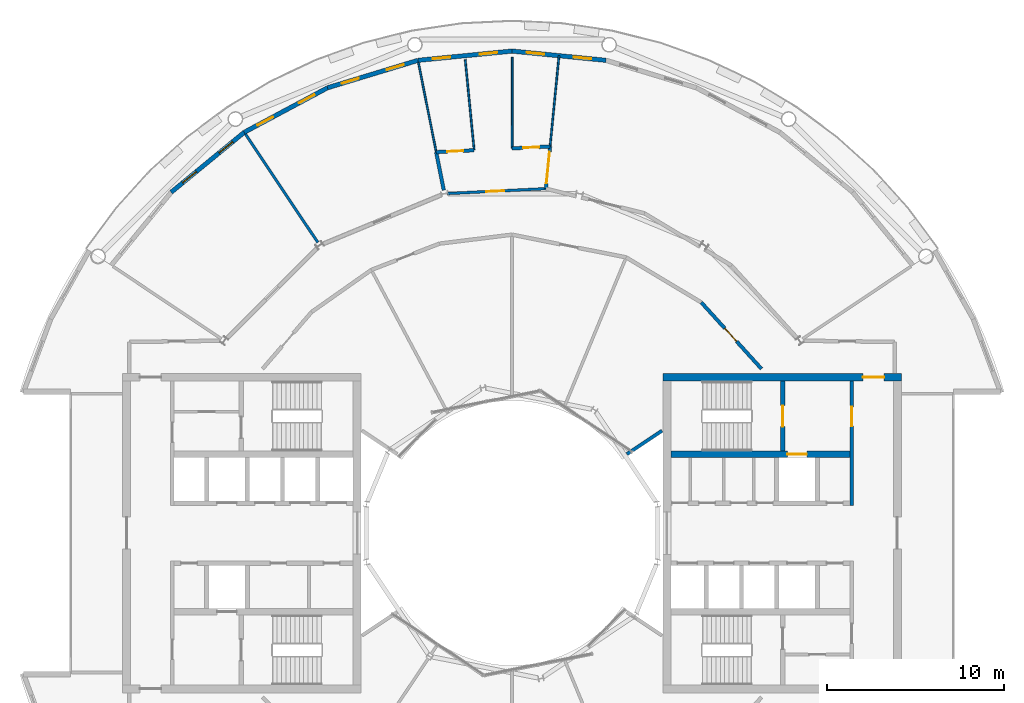
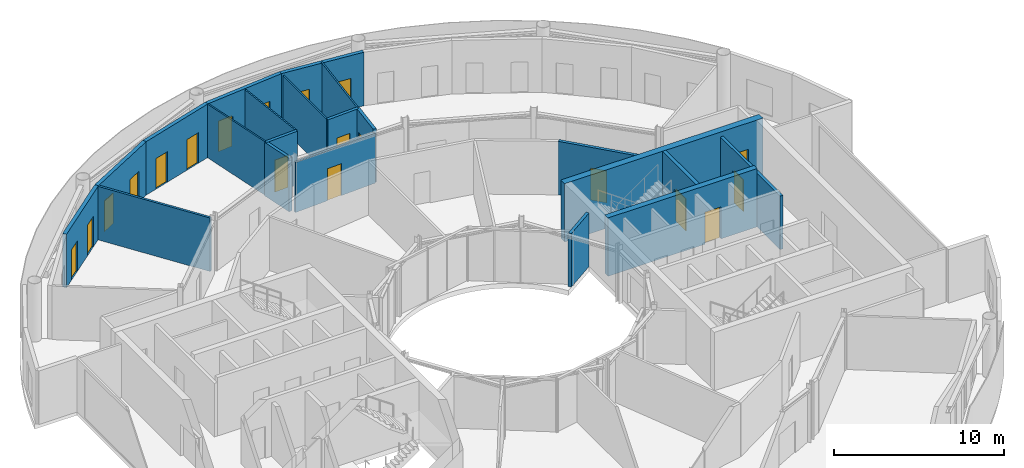
# One storey, part 18 of 22: 21 walls, 19 doors, 19 openings.
"""IFC4 building model written with IfcOpenShell, lengths in metres."""

from ifc_helpers import new_model, si_unit, direction, frame, frame_2d, origin, place, context, subcontext, project, spatial, rectangle, extrude, material, layer, layer_set, type_object, element, fill, save


model = new_model("IFC4")

# Units and contexts
model_context = context("Model", 3, precision=1e-05, world=origin(), true_north=direction((0.0, 1.0)))
body_context = subcontext(model_context, "Body", "Model", "MODEL_VIEW")
ifc_project = project(units=[si_unit("LENGTHUNIT", "METRE"), si_unit("AREAUNIT", "SQUARE_METRE"), si_unit("VOLUMEUNIT", "CUBIC_METRE"), si_unit("PLANEANGLEUNIT", "RADIAN"), si_unit("MASSUNIT", "GRAM", prefix="KILO")], contexts=[model_context])

# Site, building, storey
site_placement = place(None, origin())
site = spatial("IfcSite", under=ifc_project, at=site_placement, CompositionType="ELEMENT")
building_placement = place(site_placement, origin())
building = spatial("IfcBuilding", under=site, at=building_placement, Name="Maasbend Ring Residences", CompositionType="ELEMENT")
storey_placement = place(building_placement, frame((0.0, 0.0, 208.5)))
storey = spatial("IfcBuildingStorey", under=building, at=storey_placement, Name="L60", CompositionType="ELEMENT", Elevation=208.5)

# Wall, opening, door
ifc_material_1 = material(Name="Concrete C50/60", Category="concrete")
ifc_layer_1 = layer(ifc_material_1, 0.25)
ifc_layer_set_1 = layer_set([ifc_layer_1], Name="Concrete C50/60")
wall_type_1 = type_object("IfcWallType", Name="CORE WALL 250 C50/60", PredefinedType="SHEAR", material=ifc_layer_set_1)
wall_1_placement = place(storey_placement, frame((15.324951171875, 4.64990234375, 0.0), z_axis=(0.0, 0.0, 1.0), x_axis=(0.0, 1.0, 0.0)))
wall_1 = element("IfcWall", 1, at=wall_1_placement, inside=storey, type_object=wall_type_1, Name="L60 core E wall STEN", PredefinedType="SHEAR", context=body_context, shape_type="SweptSolid", body=[
    extrude(rectangle(XDim=3.9501953125, YDim=0.25, at=frame_2d((1.97509765625, 0.0))), origin(), (0.0, 0.0, 1.0), 4.199951171875),
])
opening_1_placement = place(wall_1_placement, frame((1.375, 0.0, 0.0)))
opening_1 = element("IfcOpeningElement", 2, at=opening_1_placement, cuts=wall_1, Name="Opening D-E6013", PredefinedType="OPENING", context=body_context, shape_type="SweptSolid", body=[
    extrude(rectangle(XDim=1.199951171875, YDim=2.300048828125, at=frame_2d((0.60009765625, 1.14990234375))), frame((0.0, 0.135009765625, 0.0), z_axis=(0.0, -1.0, 0.0), x_axis=(1.0, 0.0, 0.0)), (0.0, 0.0, 1.0), 0.27001953125),
])
ifc_material_2 = material(Name="Steel, powder coated", Category="steel")
door_type_1 = type_object("IfcDoorType", Name="STAIR DOOR 1200 X 2300 FD60", OperationType="NOTDEFINED", PredefinedType="DOOR", material=ifc_material_2)
door_1_placement = place(opening_1_placement, origin())
door_1 = element("IfcDoor", 3, at=door_1_placement, inside=storey, type_object=door_type_1, Name="Stair door ST-E L60", OperationType="SINGLE_SWING_LEFT", OverallHeight=2.300048828125, OverallWidth=1.199951171875, PredefinedType="DOOR", context=body_context, shape_type="SweptSolid", body=[
    extrude(rectangle(XDim=1.199951171875, YDim=2.300048828125, at=frame_2d((0.60009765625, 1.14990234375))), frame((0.0, 0.02490234375, 0.0), z_axis=(0.0, -1.0, 0.0), x_axis=(1.0, 0.0, 0.0)), (0.0, 0.0, 1.0), 0.050048828125),
])
fill(opening_1, door_1)

ifc_material_3 = material(Name="Concrete C50/60", Category="concrete")
ifc_layer_2 = layer(ifc_material_3, 0.375)
ifc_layer_set_2 = layer_set([ifc_layer_2], Name="Concrete C50/60")
wall_type_2 = type_object("IfcWallType", Name="CORE WALL 375 C50/60", PredefinedType="SHEAR", material=ifc_layer_set_2)
wall_2_placement = place(storey_placement, frame((9.0, 4.46240234375, 0.0), z_axis=(0.0, 0.0, 1.0), x_axis=(1.0, 0.0, 0.0)))
wall_2 = element("IfcWall", 4, at=wall_2_placement, inside=storey, type_object=wall_type_2, Name="L60 core E wall BN", PredefinedType="SHEAR", context=body_context, shape_type="SweptSolid", body=[
    extrude(rectangle(XDim=10.14990234375, YDim=0.375, at=frame_2d((5.074951171875, 0.0))), origin(), (0.0, 0.0, 1.0), 4.199951171875),
])
opening_2_placement = place(wall_2_placement, frame((6.60009765625, 0.0, 0.0)))
opening_2 = element("IfcOpeningElement", 5, at=opening_2_placement, cuts=wall_2, Name="Opening LD-E6001", PredefinedType="OPENING", context=body_context, shape_type="SweptSolid", body=[
    extrude(rectangle(XDim=1.10009765625, YDim=2.300048828125, at=frame_2d((0.550048828125, 1.14990234375))), frame((0.0, 0.197509765625, 0.0), z_axis=(0.0, -1.0, 0.0), x_axis=(1.0, 0.0, 0.0)), (0.0, 0.0, 1.0), 0.39501953125),
])
ifc_material_4 = material(Name="Stainless steel 316", Category="steel")
door_type_2 = type_object("IfcDoorType", Name="LANDING DOOR 1100 X 2300 FD60", OperationType="DOUBLE_DOOR_SLIDING", PredefinedType="DOOR", material=ifc_material_4)
door_2_placement = place(opening_2_placement, origin())
door_2 = element("IfcDoor", 6, at=door_2_placement, inside=storey, type_object=door_type_2, Name="Landing door FF-E L60", OperationType="DOUBLE_DOOR_SLIDING", OverallHeight=2.300048828125, OverallWidth=1.10009765625, PredefinedType="DOOR", context=body_context, shape_type="SweptSolid", body=[
    extrude(rectangle(XDim=1.10009765625, YDim=2.300048828125, at=frame_2d((0.550048828125, 1.14990234375))), frame((0.0, 0.02490234375, 0.0), z_axis=(0.0, -1.0, 0.0), x_axis=(1.0, 0.0, 0.0)), (0.0, 0.0, 1.0), 0.050048828125),
])
fill(opening_2, door_2)

ifc_material_5 = material(Name="Concrete C50/60", Category="concrete")
ifc_layer_3 = layer(ifc_material_5, 0.449951171875)
ifc_layer_set_3 = layer_set([ifc_layer_3], Name="Concrete C50/60")
wall_type_3 = type_object("IfcWallType", Name="CORE WALL 450 C50/60", PredefinedType="SHEAR", material=ifc_layer_set_3)
wall_3_placement = place(storey_placement, frame((22.050048828125, 8.824951171875, 0.0), z_axis=(0.0, 0.0, 1.0), x_axis=(-1.0, 0.0, 0.0)))
wall_3 = element("IfcWall", 7, at=wall_3_placement, inside=storey, type_object=wall_type_3, Name="L60 core E wall PN", PredefinedType="SHEAR", context=body_context, shape_type="SweptSolid", body=[
    extrude(rectangle(XDim=13.5, YDim=0.449951171875, at=frame_2d((6.75, 0.0))), origin(), (0.0, 0.0, 1.0), 4.199951171875),
])
opening_3_placement = place(wall_3_placement, frame((0.97509765625, 0.0, 0.0)))
opening_3 = element("IfcOpeningElement", 8, at=opening_3_placement, cuts=wall_3, Name="Opening D-E6017", PredefinedType="OPENING", context=body_context, shape_type="SweptSolid", body=[
    extrude(rectangle(XDim=1.199951171875, YDim=2.300048828125, at=frame_2d((0.60009765625, 1.14990234375))), frame((0.0, 0.23486328125, 0.0), z_axis=(0.0, -1.0, 0.0), x_axis=(1.0, 0.0, 0.0)), (0.0, 0.0, 1.0), 0.469970703125),
])
ifc_material_6 = material(Name="Steel, powder coated", Category="steel")
door_type_3 = type_object("IfcDoorType", Name="CORRIDOR DOOR 1200 X 2300 FD30S", OperationType="NOTDEFINED", PredefinedType="DOOR", material=ifc_material_6)
door_3_placement = place(opening_3_placement, origin())
door_3 = element("IfcDoor", 9, at=door_3_placement, inside=storey, type_object=door_type_3, Name="Corridor door L60", OperationType="SINGLE_SWING_RIGHT", OverallHeight=2.300048828125, OverallWidth=1.199951171875, PredefinedType="DOOR", context=body_context, shape_type="SweptSolid", body=[
    extrude(rectangle(XDim=1.199951171875, YDim=2.300048828125, at=frame_2d((0.60009765625, 1.14990234375))), frame((0.0, 0.02490234375, 0.0), z_axis=(0.0, -1.0, 0.0), x_axis=(1.0, 0.0, 0.0)), (0.0, 0.0, 1.0), 0.050048828125),
])
fill(opening_3, door_3)

# Wall
ifc_material_7 = material(Name="Concrete C30/37", Category="concrete")
ifc_layer_4 = layer(ifc_material_7, 0.199951171875)
ifc_layer_set_4 = layer_set([ifc_layer_4], Name="Concrete C30/37")
wall_type_4 = type_object("IfcWallType", Name="CORRIDOR WALL 200 CONCRETE", PredefinedType="PARTITIONING", material=ifc_layer_set_4)
wall_4_placement = place(storey_placement, frame((-4.2919921875, 21.576904296875, 0.0), z_axis=(0.0, 0.0, 1.0), x_axis=(0.195048593079, -0.980793579882, 0.0)))
element("IfcWall", 10, at=wall_4_placement, inside=storey, type_object=wall_type_4, Name="U-L60-w034", PredefinedType="PARTITIONING", context=body_context, shape_type="SweptSolid", body=[
    extrude(rectangle(XDim=2.19921875, YDim=0.199951171875, at=frame_2d((1.099609375, 0.0))), origin(), (0.0, 0.0, 1.0), 3.85009765625),
])

# Wall, opening, door
wall_5_placement = place(storey_placement, frame((1.9208984375, 19.506103515625, 0.0), z_axis=(0.0, 0.0, 1.0), x_axis=(0.097982433599, 0.995188144376, 0.0)))
wall_5 = element("IfcWall", 11, at=wall_5_placement, inside=storey, type_object=wall_type_4, Name="U-L60-w037", PredefinedType="PARTITIONING", context=body_context, shape_type="SweptSolid", body=[
    extrude(rectangle(XDim=2.3994140625, YDim=0.199951171875, at=frame_2d((1.19970703125, 0.0))), origin(), (0.0, 0.0, 1.0), 3.85009765625),
])
opening_4_placement = place(wall_5_placement, frame((0.300048828125, 0.0, 0.0)))
opening_4 = element("IfcOpeningElement", 12, at=opening_4_placement, cuts=wall_5, Name="Opening D-6009", PredefinedType="OPENING", context=body_context, shape_type="SweptSolid", body=[
    extrude(rectangle(XDim=1.800048828125, YDim=2.300048828125, at=frame_2d((0.89990234375, 1.14990234375))), frame((0.0, 0.10986328125, 0.0), z_axis=(0.0, -1.0, 0.0), x_axis=(1.0, 0.0, 0.0)), (0.0, 0.0, 1.0), 0.219970703125),
])
ifc_material_8 = material(Name="Timber, painted", Category="wood")
door_type_4 = type_object("IfcDoorType", Name="DOUBLE DOOR 1800 X 2300", OperationType="NOTDEFINED", PredefinedType="DOOR", material=ifc_material_8)
door_4_placement = place(opening_4_placement, origin())
door_4 = element("IfcDoor", 13, at=door_4_placement, inside=storey, type_object=door_type_4, Name="D-6009", OperationType="DOUBLE_DOOR_SINGLE_SWING", OverallHeight=2.300048828125, OverallWidth=1.800048828125, PredefinedType="DOOR", context=body_context, shape_type="SweptSolid", body=[
    extrude(rectangle(XDim=1.800048828125, YDim=2.300048828125, at=frame_2d((0.89990234375, 1.14990234375))), frame((0.0, 0.02490234375, 0.0), z_axis=(0.0, -1.0, 0.0), x_axis=(1.0, 0.0, 0.0)), (0.0, 0.0, 1.0), 0.050048828125),
])
fill(opening_4, door_4)

wall_6_placement = place(storey_placement, frame((10.720947265625, 13.06396484375, 0.0), z_axis=(0.0, 0.0, 1.0), x_axis=(0.671634030197, -0.740883074095, 0.0)))
wall_6 = element("IfcWall", 14, at=wall_6_placement, inside=storey, type_object=wall_type_4, Name="U-L60-w052", PredefinedType="PARTITIONING", context=body_context, shape_type="SweptSolid", body=[
    extrude(rectangle(XDim=5.080322265625, YDim=0.199951171875, at=frame_2d((2.5400390625, 0.0))), origin(), (0.0, 0.0, 1.0), 3.85009765625),
])
opening_5_placement = place(wall_6_placement, frame((1.97998046875, 0.0, 0.0)))
opening_5 = element("IfcOpeningElement", 15, at=opening_5_placement, cuts=wall_6, Name="Opening D-6012", PredefinedType="OPENING", context=body_context, shape_type="SweptSolid", body=[
    extrude(rectangle(XDim=1.0, YDim=2.300048828125, at=frame_2d((0.5, 1.14990234375))), frame((0.0, 0.10986328125, 0.0), z_axis=(0.0, -1.0, 0.0), x_axis=(1.0, 0.0, 0.0)), (0.0, 0.0, 1.0), 0.219970703125),
])
ifc_material_9 = material(Name="Timber, painted", Category="wood")
door_type_5 = type_object("IfcDoorType", Name="ROOM DOOR 1000 X 2300", OperationType="NOTDEFINED", PredefinedType="DOOR", material=ifc_material_9)
door_5_placement = place(opening_5_placement, origin())
door_5 = element("IfcDoor", 16, at=door_5_placement, inside=storey, type_object=door_type_5, Name="D-6012", OperationType="SINGLE_SWING_RIGHT", OverallHeight=2.300048828125, OverallWidth=1.0, PredefinedType="DOOR", context=body_context, shape_type="SweptSolid", body=[
    extrude(rectangle(XDim=1.0, YDim=2.300048828125, at=frame_2d((0.5, 1.14990234375))), frame((0.0, 0.02490234375, 0.0), z_axis=(0.0, -1.0, 0.0), x_axis=(1.0, 0.0, 0.0)), (0.0, 0.0, 1.0), 0.050048828125),
])
fill(opening_5, door_5)

wall_7_placement = place(storey_placement, frame((-4.2919921875, 21.575927734375, 0.0), z_axis=(0.0, 0.0, 1.0), x_axis=(0.998786623078, 0.049247147741, 0.0)))
wall_7 = element("IfcWall", 17, at=wall_7_placement, inside=storey, type_object=wall_type_4, Name="U-L60-w067", PredefinedType="PARTITIONING", context=body_context, shape_type="SweptSolid", body=[
    extrude(rectangle(XDim=2.151611328125, YDim=0.199951171875, at=frame_2d((1.07568359375, 0.0))), origin(), (0.0, 0.0, 1.0), 3.85009765625),
])
opening_6_placement = place(wall_7_placement, frame((0.6259765625, 0.0, 0.0)))
opening_6 = element("IfcOpeningElement", 18, at=opening_6_placement, cuts=wall_7, Name="Opening D-6003", PredefinedType="OPENING", context=body_context, shape_type="SweptSolid", body=[
    extrude(rectangle(XDim=0.89990234375, YDim=2.300048828125, at=frame_2d((0.449951171875, 1.14990234375))), frame((0.0, 0.10986328125, 0.0), z_axis=(0.0, -1.0, 0.0), x_axis=(1.0, 0.0, 0.0)), (0.0, 0.0, 1.0), 0.219970703125),
])
ifc_material_10 = material(Name="Timber, painted", Category="wood")
door_type_6 = type_object("IfcDoorType", Name="INTERNAL DOOR 900 X 2300", OperationType="NOTDEFINED", PredefinedType="DOOR", material=ifc_material_10)
door_6_placement = place(opening_6_placement, origin())
door_6 = element("IfcDoor", 19, at=door_6_placement, inside=storey, type_object=door_type_6, Name="D-6003", OperationType="SINGLE_SWING_RIGHT", OverallHeight=2.300048828125, OverallWidth=0.89990234375, PredefinedType="DOOR", context=body_context, shape_type="SweptSolid", body=[
    extrude(rectangle(XDim=0.89990234375, YDim=2.300048828125, at=frame_2d((0.449951171875, 1.14990234375))), frame((0.0, 0.02490234375, 0.0), z_axis=(0.0, -1.0, 0.0), x_axis=(1.0, 0.0, 0.0)), (0.0, 0.0, 1.0), 0.050048828125),
])
fill(opening_6, door_6)

wall_8_placement = place(storey_placement, frame((0.007080078125, 21.7880859375, 0.0), z_axis=(0.0, 0.0, 1.0), x_axis=(0.998786623078, 0.049247147741, 0.0)))
wall_8 = element("IfcWall", 20, at=wall_8_placement, inside=storey, type_object=wall_type_4, Name="U-L60-w068", PredefinedType="PARTITIONING", context=body_context, shape_type="SweptSolid", body=[
    extrude(rectangle(XDim=2.151611328125, YDim=0.199951171875, at=frame_2d((1.07568359375, 0.0))), origin(), (0.0, 0.0, 1.0), 3.85009765625),
])
opening_7_placement = place(wall_8_placement, frame((0.6259765625, 0.0, 0.0)))
opening_7 = element("IfcOpeningElement", 21, at=opening_7_placement, cuts=wall_8, Name="Opening D-6002", PredefinedType="OPENING", context=body_context, shape_type="SweptSolid", body=[
    extrude(rectangle(XDim=0.89990234375, YDim=2.300048828125, at=frame_2d((0.449951171875, 1.14990234375))), frame((0.0, 0.10986328125, 0.0), z_axis=(0.0, -1.0, 0.0), x_axis=(1.0, 0.0, 0.0)), (0.0, 0.0, 1.0), 0.219970703125),
])
door_7_placement = place(opening_7_placement, origin())
door_7 = element("IfcDoor", 22, at=door_7_placement, inside=storey, type_object=door_type_6, Name="D-6002", OperationType="SINGLE_SWING_LEFT", OverallHeight=2.300048828125, OverallWidth=0.89990234375, PredefinedType="DOOR", context=body_context, shape_type="SweptSolid", body=[
    extrude(rectangle(XDim=0.89990234375, YDim=2.300048828125, at=frame_2d((0.449951171875, 1.14990234375))), frame((0.0, 0.02490234375, 0.0), z_axis=(0.0, -1.0, 0.0), x_axis=(1.0, 0.0, 0.0)), (0.0, 0.0, 1.0), 0.050048828125),
])
fill(opening_7, door_7)

# Wall, openings, doors
ifc_material_11 = material(Name="Aluminium clad insulated panel", Category="aluminium")
ifc_layer_5 = layer(ifc_material_11, 0.25)
ifc_layer_set_5 = layer_set([ifc_layer_5], Name="EW-GL")
wall_type_5 = type_object("IfcWallType", Name="EW-GL", PredefinedType="SOLIDWALL", material=ifc_layer_set_5)
wall_9_placement = place(storey_placement, frame((5.325927734375, 26.77490234375, 0.0), z_axis=(0.0, 0.0, 1.0), x_axis=(-0.995173996315, 0.098126026407, 0.0)))
wall_9 = element("IfcWall", 23, at=wall_9_placement, inside=storey, type_object=wall_type_5, Name="External wall N05", PredefinedType="SOLIDWALL", context=body_context, shape_type="SweptSolid", body=[
    extrude(rectangle(XDim=5.351806640625, YDim=0.25, at=frame_2d((2.67578125, 0.0))), origin(), (0.0, 0.0, 1.0), 3.85009765625),
])
opening_8_placement = place(wall_9_placement, frame((0.841064453125, 0.0, 0.0)))
opening_8 = element("IfcOpeningElement", 24, at=opening_8_placement, cuts=wall_9, Name="Opening D-LG", PredefinedType="OPENING", context=body_context, shape_type="SweptSolid", body=[
    extrude(rectangle(XDim=1.0, YDim=2.199951171875, at=frame_2d((0.5, 1.10009765625))), frame((0.0, 0.135009765625, 0.0), z_axis=(0.0, -1.0, 0.0), x_axis=(1.0, 0.0, 0.0)), (0.0, 0.0, 1.0), 0.27001953125),
])
opening_9_placement = place(wall_9_placement, frame((3.510498046875, 0.0, 0.0)))
opening_9 = element("IfcOpeningElement", 25, at=opening_9_placement, cuts=wall_9, Name="Opening D-LG", PredefinedType="OPENING", context=body_context, shape_type="SweptSolid", body=[
    extrude(rectangle(XDim=1.0, YDim=2.199951171875, at=frame_2d((0.5, 1.10009765625))), frame((0.0, 0.135009765625, 0.0), z_axis=(0.0, -1.0, 0.0), x_axis=(1.0, 0.0, 0.0)), (0.0, 0.0, 1.0), 0.27001953125),
])
ifc_material_12 = material(Name="Aluminium and clear glass", Category="aluminium")
door_type_7 = type_object("IfcDoorType", Name="D-LG", OperationType="SINGLE_SWING_LEFT", PredefinedType="DOOR", material=ifc_material_12)
door_8_placement = place(opening_8_placement, origin())
door_8 = element("IfcDoor", 26, at=door_8_placement, inside=storey, type_object=door_type_7, Name="Loggia door N09", OperationType="SINGLE_SWING_LEFT", OverallHeight=2.199951171875, OverallWidth=1.0, PredefinedType="DOOR", context=body_context, shape_type="SweptSolid", body=[
    extrude(rectangle(XDim=1.0, YDim=2.199951171875, at=frame_2d((0.5, 1.10009765625))), frame((0.0, 0.02490234375, 0.0), z_axis=(0.0, -1.0, 0.0), x_axis=(1.0, 0.0, 0.0)), (0.0, 0.0, 1.0), 0.050048828125),
])
fill(opening_8, door_8)
door_9_placement = place(opening_9_placement, origin())
door_9 = element("IfcDoor", 27, at=door_9_placement, inside=storey, type_object=door_type_7, Name="Loggia door N10", OperationType="SINGLE_SWING_LEFT", OverallHeight=2.199951171875, OverallWidth=1.0, PredefinedType="DOOR", context=body_context, shape_type="SweptSolid", body=[
    extrude(rectangle(XDim=1.0, YDim=2.199951171875, at=frame_2d((0.5, 1.10009765625))), frame((0.0, 0.02490234375, 0.0), z_axis=(0.0, -1.0, 0.0), x_axis=(1.0, 0.0, 0.0)), (0.0, 0.0, 1.0), 0.050048828125),
])
fill(opening_9, door_9)

wall_10_placement = place(storey_placement, frame((0.0, 27.300048828125, 0.0), z_axis=(0.0, 0.0, 1.0), x_axis=(-0.995173996315, -0.098126026407, 0.0)))
wall_10 = element("IfcWall", 28, at=wall_10_placement, inside=storey, type_object=wall_type_5, Name="External wall N06", PredefinedType="SOLIDWALL", context=body_context, shape_type="SweptSolid", body=[
    extrude(rectangle(XDim=5.351806640625, YDim=0.25, at=frame_2d((2.67578125, 0.0))), origin(), (0.0, 0.0, 1.0), 3.85009765625),
])
opening_10_placement = place(wall_10_placement, frame((0.841064453125, 0.0, 0.0)))
opening_10 = element("IfcOpeningElement", 29, at=opening_10_placement, cuts=wall_10, Name="Opening D-LG", PredefinedType="OPENING", context=body_context, shape_type="SweptSolid", body=[
    extrude(rectangle(XDim=1.0, YDim=2.199951171875, at=frame_2d((0.5, 1.10009765625))), frame((0.0, 0.135009765625, 0.0), z_axis=(0.0, -1.0, 0.0), x_axis=(1.0, 0.0, 0.0)), (0.0, 0.0, 1.0), 0.27001953125),
])
opening_11_placement = place(wall_10_placement, frame((3.510498046875, 0.0, 0.0)))
opening_11 = element("IfcOpeningElement", 30, at=opening_11_placement, cuts=wall_10, Name="Opening D-LG", PredefinedType="OPENING", context=body_context, shape_type="SweptSolid", body=[
    extrude(rectangle(XDim=1.0, YDim=2.199951171875, at=frame_2d((0.5, 1.10009765625))), frame((0.0, 0.135009765625, 0.0), z_axis=(0.0, -1.0, 0.0), x_axis=(1.0, 0.0, 0.0)), (0.0, 0.0, 1.0), 0.27001953125),
])
door_10_placement = place(opening_10_placement, origin())
door_10 = element("IfcDoor", 31, at=door_10_placement, inside=storey, type_object=door_type_7, Name="Loggia door N11", OperationType="SINGLE_SWING_LEFT", OverallHeight=2.199951171875, OverallWidth=1.0, PredefinedType="DOOR", context=body_context, shape_type="SweptSolid", body=[
    extrude(rectangle(XDim=1.0, YDim=2.199951171875, at=frame_2d((0.5, 1.10009765625))), frame((0.0, 0.02490234375, 0.0), z_axis=(0.0, -1.0, 0.0), x_axis=(1.0, 0.0, 0.0)), (0.0, 0.0, 1.0), 0.050048828125),
])
fill(opening_10, door_10)
door_11_placement = place(opening_11_placement, origin())
door_11 = element("IfcDoor", 32, at=door_11_placement, inside=storey, type_object=door_type_7, Name="Loggia door N12", OperationType="SINGLE_SWING_LEFT", OverallHeight=2.199951171875, OverallWidth=1.0, PredefinedType="DOOR", context=body_context, shape_type="SweptSolid", body=[
    extrude(rectangle(XDim=1.0, YDim=2.199951171875, at=frame_2d((0.5, 1.10009765625))), frame((0.0, 0.02490234375, 0.0), z_axis=(0.0, -1.0, 0.0), x_axis=(1.0, 0.0, 0.0)), (0.0, 0.0, 1.0), 0.050048828125),
])
fill(opening_11, door_11)

wall_11_placement = place(storey_placement, frame((-5.325927734375, 26.77490234375, 0.0), z_axis=(0.0, 0.0, 1.0), x_axis=(-0.956965678721, -0.290201119486, 0.0)))
wall_11 = element("IfcWall", 33, at=wall_11_placement, inside=storey, type_object=wall_type_5, Name="External wall N07", PredefinedType="SOLIDWALL", context=body_context, shape_type="SweptSolid", body=[
    extrude(rectangle(XDim=5.351318359375, YDim=0.25, at=frame_2d((2.67578125, 0.0))), origin(), (0.0, 0.0, 1.0), 3.85009765625),
])
opening_12_placement = place(wall_11_placement, frame((0.841064453125, 0.0, 0.0)))
opening_12 = element("IfcOpeningElement", 34, at=opening_12_placement, cuts=wall_11, Name="Opening D-LG", PredefinedType="OPENING", context=body_context, shape_type="SweptSolid", body=[
    extrude(rectangle(XDim=1.0, YDim=2.199951171875, at=frame_2d((0.5, 1.10009765625))), frame((0.0, 0.135009765625, 0.0), z_axis=(0.0, -1.0, 0.0), x_axis=(1.0, 0.0, 0.0)), (0.0, 0.0, 1.0), 0.27001953125),
])
opening_13_placement = place(wall_11_placement, frame((3.510498046875, 0.0, 0.0)))
opening_13 = element("IfcOpeningElement", 35, at=opening_13_placement, cuts=wall_11, Name="Opening D-LG", PredefinedType="OPENING", context=body_context, shape_type="SweptSolid", body=[
    extrude(rectangle(XDim=1.0, YDim=2.199951171875, at=frame_2d((0.5, 1.10009765625))), frame((0.0, 0.135009765625, 0.0), z_axis=(0.0, -1.0, 0.0), x_axis=(1.0, 0.0, 0.0)), (0.0, 0.0, 1.0), 0.27001953125),
])
door_12_placement = place(opening_12_placement, origin())
door_12 = element("IfcDoor", 36, at=door_12_placement, inside=storey, type_object=door_type_7, Name="Loggia door N13", OperationType="SINGLE_SWING_LEFT", OverallHeight=2.199951171875, OverallWidth=1.0, PredefinedType="DOOR", context=body_context, shape_type="SweptSolid", body=[
    extrude(rectangle(XDim=1.0, YDim=2.199951171875, at=frame_2d((0.5, 1.10009765625))), frame((0.0, 0.02490234375, 0.0), z_axis=(0.0, -1.0, 0.0), x_axis=(1.0, 0.0, 0.0)), (0.0, 0.0, 1.0), 0.050048828125),
])
fill(opening_12, door_12)
door_13_placement = place(opening_13_placement, origin())
door_13 = element("IfcDoor", 37, at=door_13_placement, inside=storey, type_object=door_type_7, Name="Loggia door N14", OperationType="SINGLE_SWING_LEFT", OverallHeight=2.199951171875, OverallWidth=1.0, PredefinedType="DOOR", context=body_context, shape_type="SweptSolid", body=[
    extrude(rectangle(XDim=1.0, YDim=2.199951171875, at=frame_2d((0.5, 1.10009765625))), frame((0.0, 0.02490234375, 0.0), z_axis=(0.0, -1.0, 0.0), x_axis=(1.0, 0.0, 0.0)), (0.0, 0.0, 1.0), 0.050048828125),
])
fill(opening_13, door_13)

wall_12_placement = place(storey_placement, frame((-10.447021484375, 25.221923828125, 0.0), z_axis=(0.0, 0.0, 1.0), x_axis=(-0.881915646801, -0.471407246368, 0.0)))
wall_12 = element("IfcWall", 38, at=wall_12_placement, inside=storey, type_object=wall_type_5, Name="External wall N08", PredefinedType="SOLIDWALL", context=body_context, shape_type="SweptSolid", body=[
    extrude(rectangle(XDim=5.35205078125, YDim=0.25, at=frame_2d((2.676025390625, 0.0))), origin(), (0.0, 0.0, 1.0), 3.85009765625),
])
opening_14_placement = place(wall_12_placement, frame((0.841064453125, 0.0, 0.0)))
opening_14 = element("IfcOpeningElement", 39, at=opening_14_placement, cuts=wall_12, Name="Opening D-LG", PredefinedType="OPENING", context=body_context, shape_type="SweptSolid", body=[
    extrude(rectangle(XDim=1.0, YDim=2.199951171875, at=frame_2d((0.5, 1.10009765625))), frame((0.0, 0.135009765625, 0.0), z_axis=(0.0, -1.0, 0.0), x_axis=(1.0, 0.0, 0.0)), (0.0, 0.0, 1.0), 0.27001953125),
])
opening_15_placement = place(wall_12_placement, frame((3.510498046875, 0.0, 0.0)))
opening_15 = element("IfcOpeningElement", 40, at=opening_15_placement, cuts=wall_12, Name="Opening D-LG", PredefinedType="OPENING", context=body_context, shape_type="SweptSolid", body=[
    extrude(rectangle(XDim=1.0, YDim=2.199951171875, at=frame_2d((0.5, 1.10009765625))), frame((0.0, 0.135009765625, 0.0), z_axis=(0.0, -1.0, 0.0), x_axis=(1.0, 0.0, 0.0)), (0.0, 0.0, 1.0), 0.27001953125),
])
door_14_placement = place(opening_14_placement, origin())
door_14 = element("IfcDoor", 41, at=door_14_placement, inside=storey, type_object=door_type_7, Name="Loggia door N15", OperationType="SINGLE_SWING_LEFT", OverallHeight=2.199951171875, OverallWidth=1.0, PredefinedType="DOOR", context=body_context, shape_type="SweptSolid", body=[
    extrude(rectangle(XDim=1.0, YDim=2.199951171875, at=frame_2d((0.5, 1.10009765625))), frame((0.0, 0.02490234375, 0.0), z_axis=(0.0, -1.0, 0.0), x_axis=(1.0, 0.0, 0.0)), (0.0, 0.0, 1.0), 0.050048828125),
])
fill(opening_14, door_14)
door_15_placement = place(opening_15_placement, origin())
door_15 = element("IfcDoor", 42, at=door_15_placement, inside=storey, type_object=door_type_7, Name="Loggia door N16", OperationType="SINGLE_SWING_LEFT", OverallHeight=2.199951171875, OverallWidth=1.0, PredefinedType="DOOR", context=body_context, shape_type="SweptSolid", body=[
    extrude(rectangle(XDim=1.0, YDim=2.199951171875, at=frame_2d((0.5, 1.10009765625))), frame((0.0, 0.02490234375, 0.0), z_axis=(0.0, -1.0, 0.0), x_axis=(1.0, 0.0, 0.0)), (0.0, 0.0, 1.0), 0.050048828125),
])
fill(opening_15, door_15)

wall_13_placement = place(storey_placement, frame((-15.1669921875, 22.698974609375, 0.0), z_axis=(0.0, 0.0, 1.0), x_axis=(-0.773019449054, -0.634382322723, 0.0)))
wall_13 = element("IfcWall", 43, at=wall_13_placement, inside=storey, type_object=wall_type_5, Name="External wall N09", PredefinedType="SOLIDWALL", context=body_context, shape_type="SweptSolid", body=[
    extrude(rectangle(XDim=5.351806640625, YDim=0.25, at=frame_2d((2.67578125, 0.0))), origin(), (0.0, 0.0, 1.0), 3.85009765625),
])
opening_16_placement = place(wall_13_placement, frame((0.841064453125, 0.0, 0.0)))
opening_16 = element("IfcOpeningElement", 44, at=opening_16_placement, cuts=wall_13, Name="Opening D-LG", PredefinedType="OPENING", context=body_context, shape_type="SweptSolid", body=[
    extrude(rectangle(XDim=1.0, YDim=2.199951171875, at=frame_2d((0.5, 1.10009765625))), frame((0.0, 0.135009765625, 0.0), z_axis=(0.0, -1.0, 0.0), x_axis=(1.0, 0.0, 0.0)), (0.0, 0.0, 1.0), 0.27001953125),
])
opening_17_placement = place(wall_13_placement, frame((3.510498046875, 0.0, 0.0)))
opening_17 = element("IfcOpeningElement", 45, at=opening_17_placement, cuts=wall_13, Name="Opening D-LG", PredefinedType="OPENING", context=body_context, shape_type="SweptSolid", body=[
    extrude(rectangle(XDim=1.0, YDim=2.199951171875, at=frame_2d((0.5, 1.10009765625))), frame((0.0, 0.135009765625, 0.0), z_axis=(0.0, -1.0, 0.0), x_axis=(1.0, 0.0, 0.0)), (0.0, 0.0, 1.0), 0.27001953125),
])
door_16_placement = place(opening_16_placement, origin())
door_16 = element("IfcDoor", 46, at=door_16_placement, inside=storey, type_object=door_type_7, Name="Loggia door N17", OperationType="SINGLE_SWING_LEFT", OverallHeight=2.199951171875, OverallWidth=1.0, PredefinedType="DOOR", context=body_context, shape_type="SweptSolid", body=[
    extrude(rectangle(XDim=1.0, YDim=2.199951171875, at=frame_2d((0.5, 1.10009765625))), frame((0.0, 0.02490234375, 0.0), z_axis=(0.0, -1.0, 0.0), x_axis=(1.0, 0.0, 0.0)), (0.0, 0.0, 1.0), 0.050048828125),
])
fill(opening_16, door_16)
door_17_placement = place(opening_17_placement, origin())
door_17 = element("IfcDoor", 47, at=door_17_placement, inside=storey, type_object=door_type_7, Name="Loggia door N18", OperationType="SINGLE_SWING_LEFT", OverallHeight=2.199951171875, OverallWidth=1.0, PredefinedType="DOOR", context=body_context, shape_type="SweptSolid", body=[
    extrude(rectangle(XDim=1.0, YDim=2.199951171875, at=frame_2d((0.5, 1.10009765625))), frame((0.0, 0.02490234375, 0.0), z_axis=(0.0, -1.0, 0.0), x_axis=(1.0, 0.0, 0.0)), (0.0, 0.0, 1.0), 0.050048828125),
])
fill(opening_17, door_17)

# Walls
ifc_material_13 = material(Name="Gypsum board on steel studs", Category="steel")
ifc_layer_6 = layer(ifc_material_13, 0.10009765625)
ifc_layer_set_6 = layer_set([ifc_layer_6], Name="PARTITION 100 GYPSUM")
wall_type_6 = type_object("IfcWallType", Name="PARTITION 100 GYPSUM", PredefinedType="PARTITIONING", material=ifc_layer_set_6)
wall_14_placement = place(storey_placement, frame((-5.301025390625, 26.653076171875, 0.0), z_axis=(0.0, 0.0, 1.0), x_axis=(0.194963902417, -0.980810418355, 0.0)))
element("IfcWall", 48, at=wall_14_placement, inside=storey, type_object=wall_type_6, Name="U-L60-w032", PredefinedType="PARTITIONING", context=body_context, shape_type="SweptSolid", body=[
    extrude(rectangle(XDim=5.175537109375, YDim=0.10009765625, at=frame_2d((2.587890625, 0.0))), origin(), (0.0, 0.0, 1.0), 3.85009765625),
])
wall_15_placement = place(storey_placement, frame((2.156005859375, 21.89404296875, 0.0), z_axis=(0.0, 0.0, 1.0), x_axis=(0.098177046306, 0.995168964336, 0.0)))
element("IfcWall", 49, at=wall_15_placement, inside=storey, type_object=wall_type_6, Name="U-L60-w038", PredefinedType="PARTITIONING", context=body_context, shape_type="SweptSolid", body=[
    extrude(rectangle(XDim=5.1748046875, YDim=0.10009765625, at=frame_2d((2.58740234375, 0.0))), origin(), (0.0, 0.0, 1.0), 3.85009765625),
])
wall_16_placement = place(storey_placement, frame((0.007080078125, 21.80810546875, 0.0), z_axis=(0.0, 0.0, 1.0), x_axis=(0.000379848983, 0.999999927857, 0.0)))
element("IfcWall", 50, at=wall_16_placement, inside=storey, type_object=wall_type_6, Name="U-L60-w069", PredefinedType="PARTITIONING", context=body_context, shape_type="SweptSolid", body=[
    extrude(rectangle(XDim=5.141845703125, YDim=0.10009765625, at=frame_2d((2.57080078125, 0.0))), origin(), (0.0, 0.0, 1.0), 3.85009765625),
])
wall_17_placement = place(storey_placement, frame((-2.64990234375, 26.819091796875, 0.0), z_axis=(0.0, 0.0, 1.0), x_axis=(0.098205932626, -0.995166114172, 0.0)))
element("IfcWall", 51, at=wall_17_placement, inside=storey, type_object=wall_type_6, Name="U-L60-w070", PredefinedType="PARTITIONING", context=body_context, shape_type="SweptSolid", body=[
    extrude(rectangle(XDim=5.14111328125, YDim=0.10009765625, at=frame_2d((2.570556640625, 0.0))), origin(), (0.0, 0.0, 1.0), 3.85009765625),
])
ifc_material_14 = material(Name="Gypsum board on steel studs", Category="steel")
ifc_layer_7 = layer(ifc_material_14, 0.14990234375)
ifc_layer_set_7 = layer_set([ifc_layer_7], Name="PARTITION 150 GYPSUM")
wall_type_7 = type_object("IfcWallType", Name="PARTITION 150 GYPSUM", PredefinedType="PARTITIONING", material=ifc_layer_set_7)
wall_18_placement = place(storey_placement, frame((-15.097900390625, 22.594970703125, 0.0), z_axis=(0.0, 0.0, 1.0), x_axis=(0.555624175463, -0.831433566583, 0.0)))
element("IfcWall", 52, at=wall_18_placement, inside=storey, type_object=wall_type_7, Name="U-L60-w026", PredefinedType="PARTITIONING", context=body_context, shape_type="SweptSolid", body=[
    extrude(rectangle(XDim=7.375244140625, YDim=0.14990234375, at=frame_2d((3.6875, 0.0))), origin(), (0.0, 0.0, 1.0), 3.85009765625),
])

# Wall, opening, door
wall_19_placement = place(storey_placement, frame((-3.672119140625, 19.22998046875, 0.0), z_axis=(0.0, 0.0, 1.0), x_axis=(0.998783562084, 0.049309188909, 0.0)))
wall_19 = element("IfcWall", 53, at=wall_19_placement, inside=storey, type_object=wall_type_7, Name="U-L60-w059", PredefinedType="PARTITIONING", context=body_context, shape_type="SweptSolid", body=[
    extrude(rectangle(XDim=5.599853515625, YDim=0.14990234375, at=frame_2d((2.7998046875, 0.0))), origin(), (0.0, 0.0, 1.0), 3.60009765625),
])
opening_18_placement = place(wall_19_placement, frame((2.22412109375, 0.0, 0.0)))
opening_18 = element("IfcOpeningElement", 54, at=opening_18_placement, cuts=wall_19, Name="Opening D-6001", PredefinedType="OPENING", context=body_context, shape_type="SweptSolid", body=[
    extrude(rectangle(XDim=1.0, YDim=2.300048828125, at=frame_2d((0.5, 1.14990234375))), frame((0.0, 0.0849609375, 0.0), z_axis=(0.0, -1.0, 0.0), x_axis=(1.0, 0.0, 0.0)), (0.0, 0.0, 1.0), 0.169921875),
])
door_18_placement = place(opening_18_placement, origin())
door_18 = element("IfcDoor", 55, at=door_18_placement, inside=storey, type_object=door_type_5, Name="D-6001", OperationType="SINGLE_SWING_LEFT", OverallHeight=2.300048828125, OverallWidth=1.0, PredefinedType="DOOR", context=body_context, shape_type="SweptSolid", body=[
    extrude(rectangle(XDim=1.0, YDim=2.300048828125, at=frame_2d((0.5, 1.14990234375))), frame((0.0, 0.02490234375, 0.0), z_axis=(0.0, -1.0, 0.0), x_axis=(1.0, 0.0, 0.0)), (0.0, 0.0, 1.0), 0.050048828125),
])
fill(opening_18, door_18)

# Wall
ifc_material_15 = material(Name="Concrete C30/37", Category="concrete")
ifc_layer_8 = layer(ifc_material_15, 0.199951171875)
ifc_layer_set_8 = layer_set([ifc_layer_8], Name="Concrete C30/37")
wall_type_8 = type_object("IfcWallType", Name="PARTY WALL 200 CONCRETE", PredefinedType="PARTITIONING", material=ifc_layer_set_8)
wall_20_placement = place(storey_placement, frame((6.512939453125, 4.471923828125, 0.0), z_axis=(0.0, 0.0, 1.0), x_axis=(0.831403409976, 0.555669299026, 0.0)))
element("IfcWall", 56, at=wall_20_placement, inside=storey, type_object=wall_type_8, Name="U-L60-w047", PredefinedType="PARTITIONING", context=body_context, shape_type="SweptSolid", body=[
    extrude(rectangle(XDim=2.382568359375, YDim=0.199951171875, at=frame_2d((1.19140625, 0.0))), origin(), (0.0, 0.0, 1.0), 3.85009765625),
])

# Wall, opening, door
ifc_material_16 = material(Name="Concrete C30/37", Category="concrete")
ifc_layer_9 = layer(ifc_material_16, 0.199951171875)
ifc_layer_set_9 = layer_set([ifc_layer_9], Name="Concrete C30/37")
wall_type_9 = type_object("IfcWallType", Name="SHAFT WALL 200 EI 120", PredefinedType="SOLIDWALL", material=ifc_layer_set_9)
wall_21_placement = place(storey_placement, frame((19.25, 1.574951171875, 0.0), z_axis=(0.0, 0.0, 1.0), x_axis=(0.0, 1.0, 0.0)))
wall_21 = element("IfcWall", 57, at=wall_21_placement, inside=storey, type_object=wall_type_9, Name="L60 core E wall ENDN", PredefinedType="SOLIDWALL", context=body_context, shape_type="SweptSolid", body=[
    extrude(rectangle(XDim=7.025146484375, YDim=0.199951171875, at=frame_2d((3.5126953125, 0.0))), origin(), (0.0, 0.0, 1.0), 3.85009765625),
])
opening_19_placement = place(wall_21_placement, frame((4.47509765625, 0.0, 0.0)))
opening_19 = element("IfcOpeningElement", 58, at=opening_19_placement, cuts=wall_21, Name="Opening D-E6015", PredefinedType="OPENING", context=body_context, shape_type="SweptSolid", body=[
    extrude(rectangle(XDim=1.10009765625, YDim=2.300048828125, at=frame_2d((0.550048828125, 1.14990234375))), frame((0.0, 0.10986328125, 0.0), z_axis=(0.0, -1.0, 0.0), x_axis=(1.0, 0.0, 0.0)), (0.0, 0.0, 1.0), 0.219970703125),
])
ifc_material_17 = material(Name="Steel, powder coated", Category="steel")
door_type_8 = type_object("IfcDoorType", Name="LOBBY DOOR 1100 X 2300 FD60", OperationType="NOTDEFINED", PredefinedType="DOOR", material=ifc_material_17)
door_19_placement = place(opening_19_placement, origin())
door_19 = element("IfcDoor", 59, at=door_19_placement, inside=storey, type_object=door_type_8, Name="Lobby door L60", OperationType="SINGLE_SWING_LEFT", OverallHeight=2.300048828125, OverallWidth=1.10009765625, PredefinedType="DOOR", context=body_context, shape_type="SweptSolid", body=[
    extrude(rectangle(XDim=1.10009765625, YDim=2.300048828125, at=frame_2d((0.550048828125, 1.14990234375))), frame((0.0, 0.02490234375, 0.0), z_axis=(0.0, -1.0, 0.0), x_axis=(1.0, 0.0, 0.0)), (0.0, 0.0, 1.0), 0.050048828125),
])
fill(opening_19, door_19)

save(model, "model.ifc")
